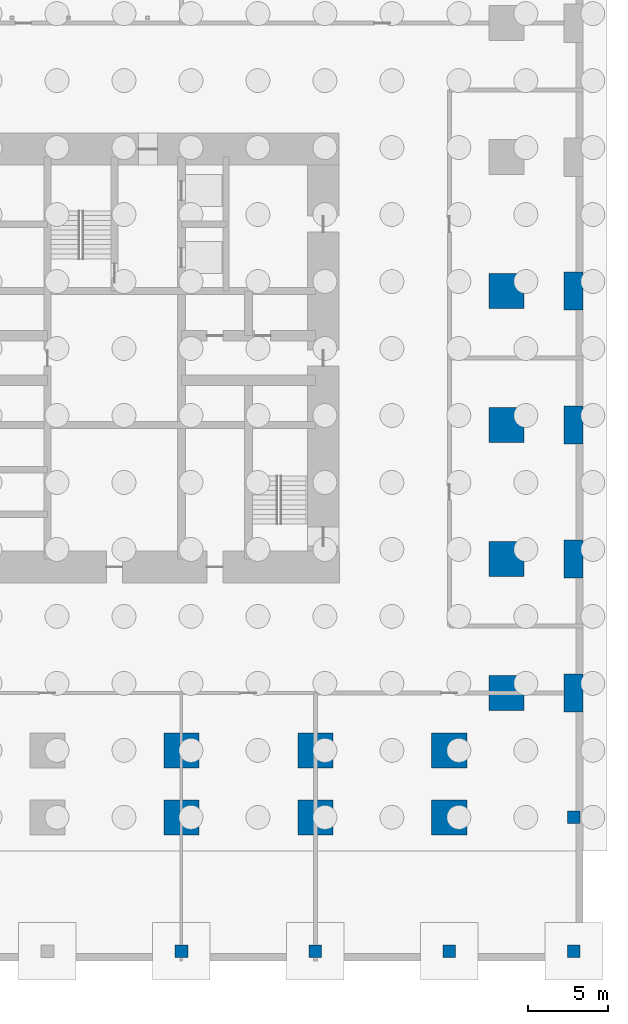
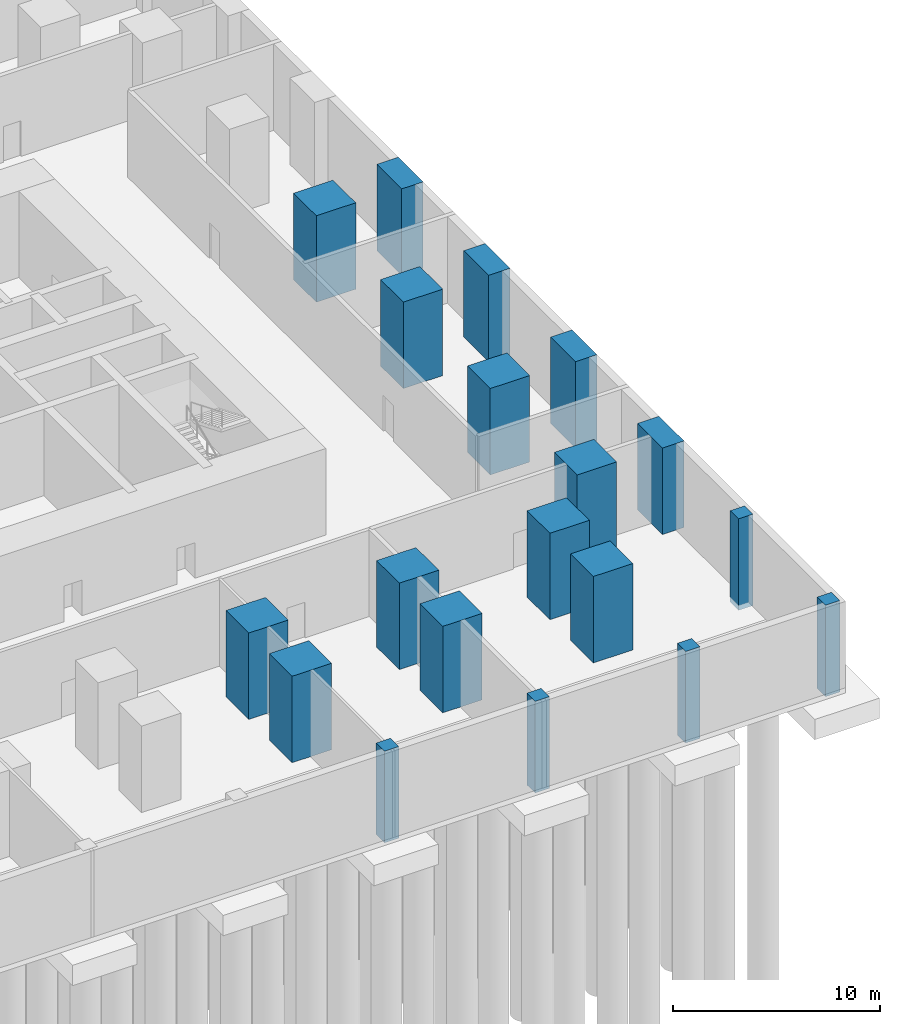
# One storey, part 9 of 18: 19 columns.
"""IFC4 building model written with IfcOpenShell, lengths in metres."""

from ifc_helpers import new_model, si_unit, direction, frame, origin, origin_2d, place, context, subcontext, project, spatial, rectangle, extrude, material, material_profile, profile_set, type_object, element, save


model = new_model("IFC4")

# Units and contexts
model_context = context("Model", 3, precision=1e-05, world=origin(), true_north=direction((0.0, 1.0)))
body_context = subcontext(model_context, "Body", "Model", "MODEL_VIEW")
ifc_project = project(units=[si_unit("LENGTHUNIT", "METRE"), si_unit("AREAUNIT", "SQUARE_METRE"), si_unit("VOLUMEUNIT", "CUBIC_METRE"), si_unit("PLANEANGLEUNIT", "RADIAN"), si_unit("MASSUNIT", "GRAM", prefix="KILO")], contexts=[model_context])

# Site, building, storey
site_placement = place(None, origin())
site = spatial("IfcSite", under=ifc_project, at=site_placement, CompositionType="ELEMENT")
building_placement = place(site_placement, origin())
building = spatial("IfcBuilding", under=site, at=building_placement, Name="Dunama Terrace Hotel", CompositionType="ELEMENT")
storey_placement = place(building_placement, frame((0.0, 0.0, -5.39990234375)))
storey = spatial("IfcBuildingStorey", under=building, at=storey_placement, Name="B1", CompositionType="ELEMENT", Elevation=-5.39990234375)

# Columns
ifc_material_1 = material(Name="Concrete C60/75", Category="concrete")
ifc_material_profile_1 = material_profile(ifc_material_1, rectangle(XDim=1.199951171875, YDim=2.39990234375, at=origin_2d()), Name="RC 1200x2400")
ifc_profile_set_1 = profile_set([ifc_material_profile_1], Name="Concrete C60/75")
column_type_1 = type_object("IfcColumnType", Name="Column RC 1200x2400", PredefinedType="COLUMN", material=ifc_profile_set_1)
for number, where, z_axis, x_axis, name in (
    (1, (58.199951171875, 8.39990234375, 0.0), (0.0, 0.0, 1.0), (1.0, 0.0, 0.0), "Column B1 +58.2/+8.4"),
    (2, (58.199951171875, 16.800048828125, 0.0), (0.0, 0.0, 1.0), (1.0, 0.0, 0.0), "Column B1 +58.2/+16.8"),
    (3, (58.199951171875, 25.199951171875, 0.0), (0.0, 0.0, 1.0), (1.0, 0.0, 0.0), "Column B1 +58.2/+25.2"),
    (4, (58.199951171875, 33.60009765625, 0.0), (0.0, 0.0, 1.0), (1.0, 0.0, 0.0), "Column B1 +58.2/+33.6"),
):
    element("IfcColumn", number, at=place(storey_placement, frame(where, z_axis=z_axis, x_axis=x_axis)), inside=storey, type_object=column_type_1, Name=name, PredefinedType="COLUMN", context=body_context, shape_type="SweptSolid", body=[
        extrude(rectangle(XDim=1.199951171875, YDim=2.39990234375, at=origin_2d()), origin(), (0.0, 0.0, 1.0), 5.099853515625),
    ])
ifc_material_2 = material(Name="Concrete C60/75", Category="concrete")
ifc_material_profile_2 = material_profile(ifc_material_2, rectangle(XDim=2.199951171875, YDim=2.199951171875, at=origin_2d()), Name="RC 2200x2200")
ifc_profile_set_2 = profile_set([ifc_material_profile_2], Name="Concrete C60/75")
column_type_2 = type_object("IfcColumnType", Name="Column RC 2200x2200", PredefinedType="COLUMN", material=ifc_profile_set_2)
for number, where, z_axis, x_axis, name in (
    (5, (33.60009765625, 0.60009765625, 0.0), (0.0, 0.0, 1.0), (1.0, 0.0, 0.0), "Column B1 +33.6/+0.6"),
    (6, (33.60009765625, 4.800048828125, 0.0), (0.0, 0.0, 1.0), (1.0, 0.0, 0.0), "Column B1 +33.6/+4.8"),
    (7, (42.0, 0.60009765625, 0.0), (0.0, 0.0, 1.0), (1.0, 0.0, 0.0), "Column B1 +42.0/+0.6"),
    (8, (42.0, 4.800048828125, 0.0), (0.0, 0.0, 1.0), (1.0, 0.0, 0.0), "Column B1 +42.0/+4.8"),
    (9, (50.39990234375, 0.60009765625, 0.0), (0.0, 0.0, 1.0), (1.0, 0.0, 0.0), "Column B1 +50.4/+0.6"),
    (10, (50.39990234375, 4.800048828125, 0.0), (0.0, 0.0, 1.0), (1.0, 0.0, 0.0), "Column B1 +50.4/+4.8"),
    (11, (54.0, 8.39990234375, 0.0), (0.0, 0.0, 1.0), (1.0, 0.0, 0.0), "Column B1 +54.0/+8.4"),
    (12, (54.0, 16.800048828125, 0.0), (0.0, 0.0, 1.0), (1.0, 0.0, 0.0), "Column B1 +54.0/+16.8"),
    (13, (54.0, 25.199951171875, 0.0), (0.0, 0.0, 1.0), (1.0, 0.0, 0.0), "Column B1 +54.0/+25.2"),
    (14, (54.0, 33.60009765625, 0.0), (0.0, 0.0, 1.0), (1.0, 0.0, 0.0), "Column B1 +54.0/+33.6"),
):
    element("IfcColumn", number, at=place(storey_placement, frame(where, z_axis=z_axis, x_axis=x_axis)), inside=storey, type_object=column_type_2, Name=name, PredefinedType="COLUMN", context=body_context, shape_type="SweptSolid", body=[
        extrude(rectangle(XDim=2.199951171875, YDim=2.199951171875, at=origin_2d()), origin(), (0.0, 0.0, 1.0), 5.099853515625),
    ])
ifc_material_3 = material(Name="Concrete C40/50", Category="concrete")
ifc_material_profile_3 = material_profile(ifc_material_3, rectangle(XDim=0.800048828125, YDim=0.800048828125, at=origin_2d()), Name="RC 800x800")
ifc_profile_set_3 = profile_set([ifc_material_profile_3], Name="Concrete C40/50")
column_type_3 = type_object("IfcColumnType", Name="Column RC 800x800", PredefinedType="COLUMN", material=ifc_profile_set_3)
for number, where, z_axis, x_axis, name in (
    (15, (33.60009765625, -7.800048828125, -0.300048828125), (0.0, 0.0, 1.0), (1.0, 0.0, 0.0), "Column B1 +33.6/-7.8"),
    (16, (42.0, -7.800048828125, -0.300048828125), (0.0, 0.0, 1.0), (1.0, 0.0, 0.0), "Column B1 +42.0/-7.8"),
    (17, (50.39990234375, -7.800048828125, -0.300048828125), (0.0, 0.0, 1.0), (1.0, 0.0, 0.0), "Column B1 +50.4/-7.8"),
    (18, (58.199951171875, -7.800048828125, -0.300048828125), (0.0, 0.0, 1.0), (1.0, 0.0, 0.0), "Column B1 +58.2/-7.8"),
    (19, (58.199951171875, 0.60009765625, -0.300048828125), (0.0, 0.0, 1.0), (1.0, 0.0, 0.0), "Column B1 +58.2/+0.6"),
):
    element("IfcColumn", number, at=place(storey_placement, frame(where, z_axis=z_axis, x_axis=x_axis)), inside=storey, type_object=column_type_3, Name=name, PredefinedType="COLUMN", context=body_context, shape_type="SweptSolid", body=[
        extrude(rectangle(XDim=0.800048828125, YDim=0.800048828125, at=origin_2d()), origin(), (0.0, 0.0, 1.0), 5.39990234375),
    ])

save(model, "model.ifc")
